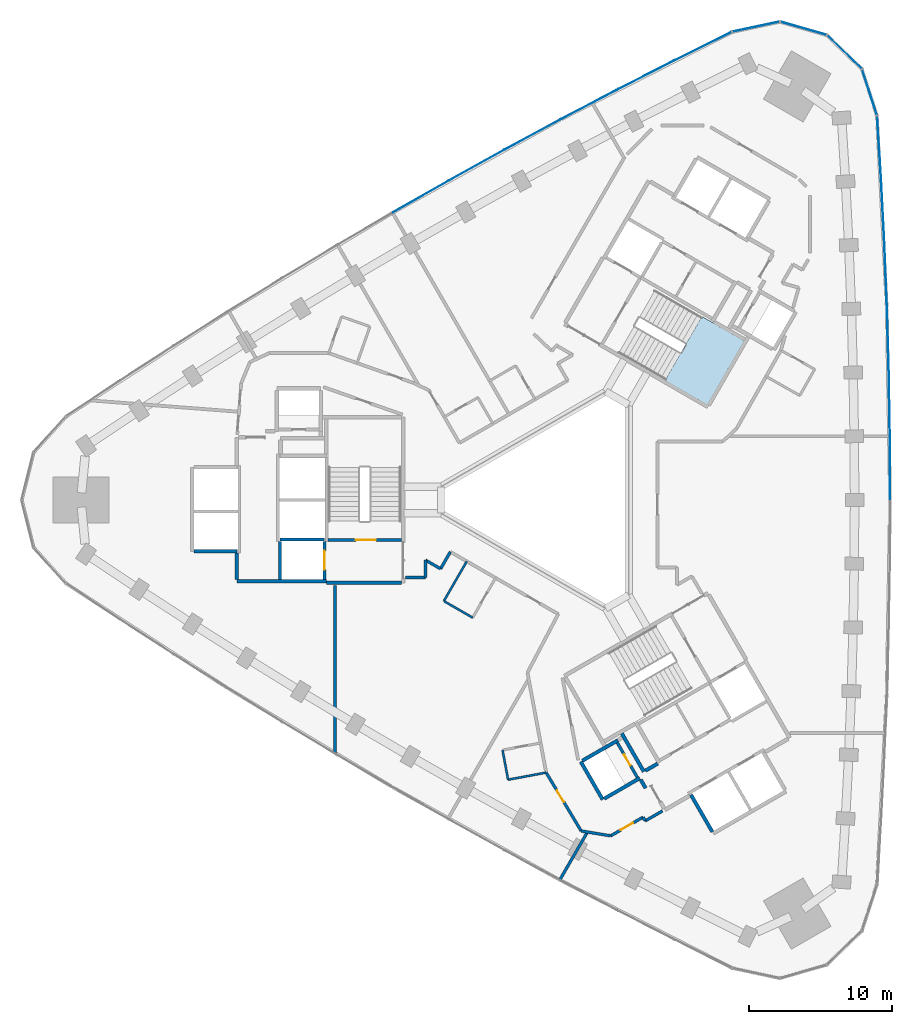
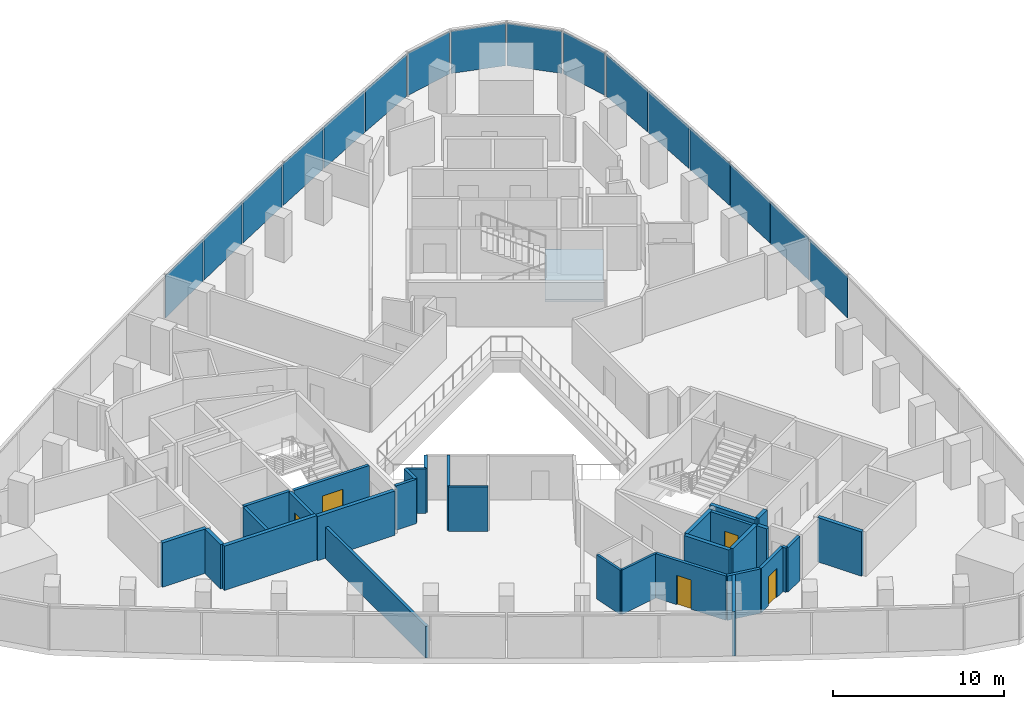
# One storey, part 7 of 12: 31 walls, 16 plates, 5 doors, 1 slab, 5 openings, 3 elements without a shape of their own.
"""IFC4 building model written with IfcOpenShell, lengths in metres."""

from ifc_helpers import new_model, si_unit, direction, frame, frame_2d, origin, origin_2d, place, context, subcontext, project, spatial, polyline, rectangle, outline, extrude, material, layer, layer_set, type_object, element, fill, aggregate, save


model = new_model("IFC4")

# Units and contexts
model_context = context("Model", 3, precision=1e-05, world=origin(), true_north=direction((0.0, 1.0)))
body_context = subcontext(model_context, "Body", "Model", "MODEL_VIEW")
ifc_project = project(units=[si_unit("LENGTHUNIT", "METRE"), si_unit("AREAUNIT", "SQUARE_METRE"), si_unit("VOLUMEUNIT", "CUBIC_METRE"), si_unit("PLANEANGLEUNIT", "RADIAN"), si_unit("MASSUNIT", "GRAM", prefix="KILO")], contexts=[model_context])

# Site, building, storey
site_placement = place(None, origin())
site = spatial("IfcSite", under=ifc_project, at=site_placement, CompositionType="ELEMENT")
building_placement = place(site_placement, origin())
building = spatial("IfcBuilding", under=site, at=building_placement, Name="Tamra Quay Hotel Tower", CompositionType="ELEMENT")
storey_placement = place(building_placement, frame((0.0, 0.0, 104.60009765625)))
storey = spatial("IfcBuildingStorey", under=building, at=storey_placement, Name="L25", CompositionType="ELEMENT", Elevation=104.60009765625)

# Stair, slab
ifc_material_1 = material(Name="Exit stair 2200 24 risers 150.0 going 342")
stair_type = type_object("IfcStairType", Name="Exit stair 2200 24 risers 150.0 going 342", PredefinedType="HALF_TURN_STAIR", material=ifc_material_1)
stair_placement = place(storey_placement, origin())
stair = element("IfcStair", 1, at=stair_placement, inside=storey, type_object=stair_type, Name="L25 Exit stair ST1", PredefinedType="HALF_TURN_STAIR")
ifc_material_2 = material(Name="Concrete M70", Category="concrete")
ifc_layer_1 = layer(ifc_material_2, 0.175048828125)
ifc_layer_set_1 = layer_set([ifc_layer_1], Name="Concrete M70 stair landing 180")
slab_type = type_object("IfcSlabType", Name="Concrete M70 stair landing 180", PredefinedType="LANDING", material=ifc_layer_set_1)
slab_placement = place(storey_placement, frame((0.0, 0.0, 1.625)))
slab = element("IfcSlab", 2, at=slab_placement, type_object=slab_type, Name="ST1 landing 1", PredefinedType="LANDING", context=body_context, shape_type="SweptSolid", body=[
    extrude(outline(polyline([(7.425048828125, 8.336669921875), (10.385009765625, 6.627685546875), (12.964599609375, 11.095458984375), (10.00439453125, 12.804443359375), (7.425048828125, 8.336669921875)])), origin(), (0.0, 0.0, 1.0), 0.1748046875),
])
aggregate(stair, [slab])

# Curtain wall, plates
ifc_material_3 = material(Name="Aluminium 6063 anodised dark grey", Category="aluminium")
curtain_wall_type_1 = type_object("IfcCurtainWallType", Name="CW1 CURTAIN WALL", PredefinedType="NOTDEFINED", material=ifc_material_3)
curtain_wall_1_placement = place(storey_placement, origin())
curtain_wall_1 = element("IfcCurtainWall", 3, at=curtain_wall_1_placement, inside=storey, type_object=curtain_wall_type_1, Name="CW1 east face L25", PredefinedType="NOTDEFINED")
ifc_material_4 = material(Name="Glass clear laminated low-iron", Category="glass")
ifc_layer_2 = layer(ifc_material_4, 0.033935546875)
ifc_layer_set_2 = layer_set([ifc_layer_2], Name="GLASS PANEL CW1 Z2")
plate_type_1 = type_object("IfcPlateType", Name="GLASS PANEL CW1 Z2", PredefinedType="CURTAIN_PANEL", material=ifc_layer_set_2)
plate_1_placement = place(storey_placement, frame((23.132080078125, 2.236572265625, 0.0), z_axis=(0.0, 0.0, 1.0), x_axis=(-0.00571269185, 0.999983682443, 0.0)))
plate_1 = element("IfcPlate", 4, at=plate_1_placement, type_object=plate_type_1, Name="CW1 glass L25.E.7", PredefinedType="CURTAIN_PANEL", context=body_context, shape_type="SweptSolid", body=[
    extrude(rectangle(XDim=4.373291015625, YDim=0.033935546875, at=origin_2d()), origin(), (0.0, 0.0, 1.0), 3.034912109375),
])
plate_2_placement = place(storey_placement, frame((23.080810546875, 6.70947265625, 0.0), z_axis=(0.0, 0.0, 1.0), x_axis=(-0.017133948461, 0.99985320313, 0.0)))
plate_2 = element("IfcPlate", 5, at=plate_2_placement, type_object=plate_type_1, Name="CW1 glass L25.E.8", PredefinedType="CURTAIN_PANEL", context=body_context, shape_type="SweptSolid", body=[
    extrude(rectangle(XDim=4.373291015625, YDim=0.033935546875, at=origin_2d()), origin(), (0.0, 0.0, 1.0), 3.034912109375),
])
plate_3_placement = place(storey_placement, frame((22.978759765625, 11.181396484375, 0.0), z_axis=(0.0, 0.0, 1.0), x_axis=(-0.028546324212, 0.999592470647, 0.0)))
plate_3 = element("IfcPlate", 6, at=plate_3_placement, type_object=plate_type_1, Name="CW1 glass L25.E.9", PredefinedType="CURTAIN_PANEL", context=body_context, shape_type="SweptSolid", body=[
    extrude(rectangle(XDim=4.373291015625, YDim=0.033935546875, at=origin_2d()), origin(), (0.0, 0.0, 1.0), 3.034912109375),
])
plate_4_placement = place(storey_placement, frame((22.825439453125, 15.652099609375, 0.0), z_axis=(0.0, 0.0, 1.0), x_axis=(-0.039943885581, 0.99920192454, 0.0)))
plate_4 = element("IfcPlate", 7, at=plate_4_placement, type_object=plate_type_1, Name="CW1 glass L25.E.10", PredefinedType="CURTAIN_PANEL", context=body_context, shape_type="SweptSolid", body=[
    extrude(rectangle(XDim=4.373291015625, YDim=0.033935546875, at=origin_2d()), origin(), (0.0, 0.0, 1.0), 3.034912109375),
])
plate_5_placement = place(storey_placement, frame((22.621337890625, 20.12060546875, 0.0), z_axis=(0.0, 0.0, 1.0), x_axis=(-0.051320736558, 0.998682222731, 0.0)))
plate_5 = element("IfcPlate", 8, at=plate_5_placement, type_object=plate_type_1, Name="CW1 glass L25.E.11", PredefinedType="CURTAIN_PANEL", context=body_context, shape_type="SweptSolid", body=[
    extrude(rectangle(XDim=4.373291015625, YDim=0.033935546875, at=origin_2d()), origin(), (0.0, 0.0, 1.0), 3.034912109375),
])
plate_6_placement = place(storey_placement, frame((22.366455078125, 24.5859375, 0.0), z_axis=(0.0, 0.0, 1.0), x_axis=(-0.062669917068, 0.998034308776, 0.0)))
plate_6 = element("IfcPlate", 9, at=plate_6_placement, type_object=plate_type_1, Name="CW1 glass L25.E.12", PredefinedType="CURTAIN_PANEL", context=body_context, shape_type="SweptSolid", body=[
    extrude(rectangle(XDim=4.372314453125, YDim=0.033935546875, at=origin_2d()), origin(), (0.0, 0.0, 1.0), 3.034912109375),
])
plate_7_placement = place(storey_placement, frame((21.70166015625, 28.43994140625, 0.0), z_axis=(0.0, 0.0, 1.0), x_axis=(-0.307790863622, 0.951454036867, 0.0)))
plate_7 = element("IfcPlate", 10, at=plate_7_placement, type_object=plate_type_1, Name="CW1 glass L25.E.13", PredefinedType="CURTAIN_PANEL", context=body_context, shape_type="SweptSolid", body=[
    extrude(rectangle(XDim=3.31005859375, YDim=0.033935546875, at=origin_2d()), origin(), (0.0, 0.0, 1.0), 3.034912109375),
])
plate_8_placement = place(storey_placement, frame((19.95068359375, 31.247314453125, 0.0), z_axis=(0.0, 0.0, 1.0), x_axis=(-0.71904127153, 0.694967373217, 0.0)))
plate_8 = element("IfcPlate", 11, at=plate_8_placement, type_object=plate_type_1, Name="CW1 glass L25.E.14", PredefinedType="CURTAIN_PANEL", context=body_context, shape_type="SweptSolid", body=[
    extrude(rectangle(XDim=3.31005859375, YDim=0.033935546875, at=origin_2d()), origin(), (0.0, 0.0, 1.0), 3.034912109375),
])
plate_9_placement = place(storey_placement, frame((17.08544921875, 32.9013671875, 0.0), z_axis=(0.0, 0.0, 1.0), x_axis=(-0.961380035772, 0.275224320906, 0.0)))
plate_9 = element("IfcPlate", 12, at=plate_9_placement, type_object=plate_type_1, Name="CW1 glass L25.E.15", PredefinedType="CURTAIN_PANEL", context=body_context, shape_type="SweptSolid", body=[
    extrude(rectangle(XDim=3.31005859375, YDim=0.033935546875, at=origin_2d()), origin(), (0.0, 0.0, 1.0), 3.034912109375),
])
plate_10_placement = place(storey_placement, frame((13.779052734375, 33.01416015625, 0.0), z_axis=(0.0, 0.0, 1.0), x_axis=(-0.977878798271, -0.209172311484, 0.0)))
plate_10 = element("IfcPlate", 13, at=plate_10_placement, type_object=plate_type_1, Name="CW1 glass L25.E.16", PredefinedType="CURTAIN_PANEL", context=body_context, shape_type="SweptSolid", body=[
    extrude(rectangle(XDim=3.31005859375, YDim=0.033935546875, at=origin_2d()), origin(), (0.0, 0.0, 1.0), 3.034912109375),
])
aggregate(curtain_wall_1, [plate_1, plate_2, plate_3, plate_4, plate_5, plate_6, plate_7, plate_8, plate_9, plate_10])

curtain_wall_type_2 = type_object("IfcCurtainWallType", Name="CW2 CURTAIN WALL", PredefinedType="NOTDEFINED", material=ifc_material_3)
curtain_wall_2_placement = place(storey_placement, origin())
curtain_wall_2 = element("IfcCurtainWall", 14, at=curtain_wall_2_placement, inside=storey, type_object=curtain_wall_type_2, Name="CW2 north-west face L25", PredefinedType="NOTDEFINED")
ifc_layer_3 = layer(ifc_material_4, 0.033935546875)
ifc_layer_set_3 = layer_set([ifc_layer_3], Name="GLASS PANEL CW2 Z2")
plate_type_2 = type_object("IfcPlateType", Name="GLASS PANEL CW2 Z2", PredefinedType="CURTAIN_PANEL", material=ifc_layer_set_3)
plate_11_placement = place(storey_placement, frame((10.10888671875, 31.662841796875, 0.0), z_axis=(0.0, 0.0, 1.0), x_axis=(-0.895658023783, -0.444743414154, 0.0)))
plate_11 = element("IfcPlate", 15, at=plate_11_placement, type_object=plate_type_2, Name="CW2 glass L25.NW.1", PredefinedType="CURTAIN_PANEL", context=body_context, shape_type="SweptSolid", body=[
    extrude(rectangle(XDim=4.372314453125, YDim=0.033935546875, at=origin_2d()), origin(), (0.0, 0.0, 1.0), 3.034912109375),
])
plate_12_placement = place(storey_placement, frame((6.1142578125, 29.65087890625, 0.0), z_axis=(0.0, 0.0, 1.0), x_axis=(-0.890544543472, -0.454896049765, 0.0)))
plate_12 = element("IfcPlate", 16, at=plate_12_placement, type_object=plate_type_2, Name="CW2 glass L25.NW.2", PredefinedType="CURTAIN_PANEL", context=body_context, shape_type="SweptSolid", body=[
    extrude(rectangle(XDim=4.373291015625, YDim=0.033935546875, at=origin_2d()), origin(), (0.0, 0.0, 1.0), 3.034912109375),
])
plate_13_placement = place(storey_placement, frame((2.142333984375, 27.593505859375, 0.0), z_axis=(0.0, 0.0, 1.0), x_axis=(-0.885306192952, -0.465008542631, 0.0)))
plate_13 = element("IfcPlate", 17, at=plate_13_placement, type_object=plate_type_2, Name="CW2 glass L25.NW.3", PredefinedType="CURTAIN_PANEL", context=body_context, shape_type="SweptSolid", body=[
    extrude(rectangle(XDim=4.373291015625, YDim=0.033935546875, at=origin_2d()), origin(), (0.0, 0.0, 1.0), 3.034912109375),
])
plate_14_placement = place(storey_placement, frame((-1.805908203125, 25.490966796875, 0.0), z_axis=(0.0, 0.0, 1.0), x_axis=(-0.879945635118, -0.475074393371, 0.0)))
plate_14 = element("IfcPlate", 18, at=plate_14_placement, type_object=plate_type_2, Name="CW2 glass L25.NW.4", PredefinedType="CURTAIN_PANEL", context=body_context, shape_type="SweptSolid", body=[
    extrude(rectangle(XDim=4.373291015625, YDim=0.033935546875, at=origin_2d()), origin(), (0.0, 0.0, 1.0), 3.034912109375),
])
plate_15_placement = place(storey_placement, frame((-5.729736328125, 23.34326171875, 0.0), z_axis=(0.0, 0.0, 1.0), x_axis=(-0.874465248197, -0.485088166931, 0.0)))
plate_15 = element("IfcPlate", 19, at=plate_15_placement, type_object=plate_type_2, Name="CW2 glass L25.NW.5", PredefinedType="CURTAIN_PANEL", context=body_context, shape_type="SweptSolid", body=[
    extrude(rectangle(XDim=4.373291015625, YDim=0.033935546875, at=origin_2d()), origin(), (0.0, 0.0, 1.0), 3.034912109375),
])
plate_16_placement = place(storey_placement, frame((-9.629150390625, 21.151123046875, 0.0), z_axis=(0.0, 0.0, 1.0), x_axis=(-0.86886761829, -0.495044504955, 0.0)))
plate_16 = element("IfcPlate", 20, at=plate_16_placement, type_object=plate_type_2, Name="CW2 glass L25.NW.6", PredefinedType="CURTAIN_PANEL", context=body_context, shape_type="SweptSolid", body=[
    extrude(rectangle(XDim=4.373291015625, YDim=0.033935546875, at=origin_2d()), origin(), (0.0, 0.0, 1.0), 3.034912109375),
])
aggregate(curtain_wall_2, [plate_11, plate_12, plate_13, plate_14, plate_15, plate_16])

# Wall, opening, door
ifc_layer_4 = layer(ifc_material_2, 0.199951171875)
ifc_layer_set_4 = layer_set([ifc_layer_4], Name="Concrete M70 core wall 200")
wall_type_1 = type_object("IfcWallType", Name="Concrete M70 core wall 200", PredefinedType="SHEAR", material=ifc_layer_set_4)
wall_1_placement = place(storey_placement, frame((-10.96337890625, -2.800048828125, 0.0), z_axis=(0.0, 0.0, 1.0), x_axis=(-1.0, 0.0, 0.0)))
wall_1 = element("IfcWall", 21, at=wall_1_placement, inside=storey, type_object=wall_type_1, Name="CW2", PredefinedType="SHEAR", context=body_context, shape_type="SweptSolid", body=[
    extrude(rectangle(XDim=5.097900390625, YDim=0.199951171875, at=frame_2d((2.548828125, 0.0))), origin(), (0.0, 0.0, 1.0), 3.1748046875),
])
opening_1_placement = place(wall_1_placement, frame((1.77392578125, 0.0, 0.0)))
opening_1 = element("IfcOpeningElement", 22, at=opening_1_placement, cuts=wall_1, Name="Opening FD2", PredefinedType="OPENING", context=body_context, shape_type="SweptSolid", body=[
    extrude(rectangle(XDim=1.39990234375, YDim=2.10009765625, at=frame_2d((0.699951171875, 1.050048828125))), frame((0.0, 0.10986328125, 0.0), z_axis=(0.0, -1.0, 0.0), x_axis=(1.0, 0.0, 0.0)), (0.0, 0.0, 1.0), 0.219970703125),
])
ifc_material_5 = material(Name="Core door FD2 1400x2100 RH")
door_type_1 = type_object("IfcDoorType", Name="Core door FD2 1400x2100 RH", OperationType="NOTDEFINED", PredefinedType="DOOR", material=ifc_material_5)
door_1_placement = place(opening_1_placement, origin())
door_1 = element("IfcDoor", 23, at=door_1_placement, inside=storey, type_object=door_type_1, Name="FD2", OperationType="SINGLE_SWING_RIGHT", OverallHeight=2.10009765625, OverallWidth=1.39990234375, PredefinedType="DOOR", context=body_context, shape_type="SweptSolid", body=[
    extrude(rectangle(XDim=1.39990234375, YDim=2.10009765625, at=frame_2d((0.699951171875, 1.050048828125))), frame((0.0, 0.02490234375, 0.0), z_axis=(0.0, -1.0, 0.0), x_axis=(1.0, 0.0, 0.0)), (0.0, 0.0, 1.0), 0.050048828125),
])
fill(opening_1, door_1)

# Wall
wall_2_placement = place(storey_placement, frame((-19.412353515625, -2.75, 0.0), z_axis=(0.0, 0.0, 1.0), x_axis=(1.0, 0.0, 0.0)))
element("IfcWall", 24, at=wall_2_placement, inside=storey, type_object=wall_type_1, Name="CW2", PredefinedType="SHEAR", context=body_context, shape_type="SweptSolid", body=[
    extrude(rectangle(XDim=3.10009765625, YDim=0.199951171875, at=frame_2d((1.550048828125, 0.0))), origin(), (0.0, 0.0, 1.0), 3.1748046875),
])

# Wall, opening, door
wall_3_placement = place(storey_placement, frame((-16.312255859375, -2.898193359375, 0.0), z_axis=(0.0, 0.0, 1.0), x_axis=(0.0, -1.0, 0.0)))
wall_3 = element("IfcWall", 25, at=wall_3_placement, inside=storey, type_object=wall_type_1, Name="CW2", PredefinedType="SHEAR", context=body_context, shape_type="SweptSolid", body=[
    extrude(rectangle(XDim=2.65087890625, YDim=0.199951171875, at=frame_2d((1.325439453125, 0.0))), origin(), (0.0, 0.0, 1.0), 3.1748046875),
])
opening_2_placement = place(wall_3_placement, frame((0.65185546875, 0.0, 0.0)))
opening_2 = element("IfcOpeningElement", 26, at=opening_2_placement, cuts=wall_3, Name="Opening LD", PredefinedType="OPENING", context=body_context, shape_type="SweptSolid", body=[
    extrude(rectangle(XDim=1.300048828125, YDim=2.10009765625, at=frame_2d((0.64990234375, 1.050048828125))), frame((0.0, 0.10986328125, 0.0), z_axis=(0.0, -1.0, 0.0), x_axis=(1.0, 0.0, 0.0)), (0.0, 0.0, 1.0), 0.219970703125),
])
ifc_material_6 = material(Name="Landing door LD 1300 sliding to right")
door_type_2 = type_object("IfcDoorType", Name="Landing door LD 1300 sliding to right", OperationType="NOTDEFINED", PredefinedType="DOOR", material=ifc_material_6)
door_2_placement = place(opening_2_placement, origin())
door_2 = element("IfcDoor", 27, at=door_2_placement, inside=storey, type_object=door_type_2, Name="LD", OperationType="SLIDING_TO_RIGHT", OverallHeight=2.10009765625, OverallWidth=1.300048828125, PredefinedType="DOOR", context=body_context, shape_type="SweptSolid", body=[
    extrude(rectangle(XDim=1.300048828125, YDim=2.10009765625, at=frame_2d((0.64990234375, 1.050048828125))), frame((0.0, 0.02490234375, 0.0), z_axis=(0.0, -1.0, 0.0), x_axis=(1.0, 0.0, 0.0)), (0.0, 0.0, 1.0), 0.050048828125),
])
fill(opening_2, door_2)

# Wall
wall_4_placement = place(storey_placement, frame((-19.412353515625, -5.549072265625, 0.0), z_axis=(0.0, 0.0, 1.0), x_axis=(0.0, 1.0, 0.0)))
element("IfcWall", 28, at=wall_4_placement, inside=storey, type_object=wall_type_1, Name="CW2", PredefinedType="SHEAR", context=body_context, shape_type="SweptSolid", body=[
    extrude(rectangle(XDim=2.65087890625, YDim=0.199951171875, at=frame_2d((1.325439453125, 0.0))), origin(), (0.0, 0.0, 1.0), 3.1748046875),
])

# Wall, opening, door
wall_5_placement = place(storey_placement, frame((5.50341796875, -19.352294921875, 0.0), z_axis=(0.0, 0.0, 1.0), x_axis=(-0.499986818241, 0.866033014143, 0.0)))
wall_5 = element("IfcWall", 29, at=wall_5_placement, inside=storey, type_object=wall_type_1, Name="CW2", PredefinedType="SHEAR", context=body_context, shape_type="SweptSolid", body=[
    extrude(rectangle(XDim=2.7978515625, YDim=0.199951171875, at=frame_2d((1.39892578125, 0.0))), origin(), (0.0, 0.0, 1.0), 3.1748046875),
])
opening_3_placement = place(wall_5_placement, frame((0.948974609375, 0.0, 0.0)))
opening_3 = element("IfcOpeningElement", 30, at=opening_3_placement, cuts=wall_5, Name="Opening D1", PredefinedType="OPENING", context=body_context, shape_type="SweptSolid", body=[
    extrude(rectangle(XDim=0.89990234375, YDim=2.10009765625, at=frame_2d((0.449951171875, 1.050048828125))), frame((0.0, 0.10986328125, 0.0), z_axis=(0.0, -1.0, 0.0), x_axis=(1.0, 0.0, 0.0)), (0.0, 0.0, 1.0), 0.219970703125),
])
ifc_material_7 = material(Name="Core door D1 900x2100 RH")
door_type_3 = type_object("IfcDoorType", Name="Core door D1 900x2100 RH", OperationType="NOTDEFINED", PredefinedType="DOOR", material=ifc_material_7)
door_3_placement = place(opening_3_placement, origin())
door_3 = element("IfcDoor", 31, at=door_3_placement, inside=storey, type_object=door_type_3, Name="D1", OperationType="SINGLE_SWING_RIGHT", OverallHeight=2.10009765625, OverallWidth=0.89990234375, PredefinedType="DOOR", context=body_context, shape_type="SweptSolid", body=[
    extrude(rectangle(XDim=0.89990234375, YDim=2.10009765625, at=frame_2d((0.449951171875, 1.050048828125))), frame((0.0, 0.02490234375, 0.0), z_axis=(0.0, -1.0, 0.0), x_axis=(1.0, 0.0, 0.0)), (0.0, 0.0, 1.0), 0.050048828125),
])
fill(opening_3, door_3)

# Walls
ifc_layer_5 = layer(ifc_material_2, 0.25)
ifc_layer_set_5 = layer_set([ifc_layer_5], Name="Concrete M70 core wall 250")
wall_type_2 = type_object("IfcWallType", Name="Concrete M70 core wall 250", PredefinedType="SHEAR", material=ifc_layer_set_5)
wall_6_placement = place(storey_placement, frame((-16.187255859375, -5.675048828125, 0.0), z_axis=(0.0, 0.0, 1.0), x_axis=(-1.0, 0.0, 0.0)))
element("IfcWall", 32, at=wall_6_placement, inside=storey, type_object=wall_type_2, Name="CW1", PredefinedType="SHEAR", context=body_context, shape_type="SweptSolid", body=[
    extrude(rectangle(XDim=6.25, YDim=0.25, at=frame_2d((3.125, 0.0))), origin(), (0.0, 0.0, 1.0), 3.1748046875),
])
wall_7_placement = place(storey_placement, frame((-10.962646484375, -5.77490234375, 0.0), z_axis=(0.0, 0.0, 1.0), x_axis=(-1.0, 0.0, 0.0)))
element("IfcWall", 33, at=wall_7_placement, inside=storey, type_object=wall_type_2, Name="CW1", PredefinedType="SHEAR", context=body_context, shape_type="SweptSolid", body=[
    extrude(rectangle(XDim=5.224609375, YDim=0.25, at=frame_2d((2.6123046875, 0.0))), origin(), (0.0, 0.0, 1.0), 3.1748046875),
])
wall_8_placement = place(storey_placement, frame((-22.437255859375, -3.574951171875, 0.0), z_axis=(0.0, 0.0, 1.0), x_axis=(-1.0, 0.0, 0.0)))
element("IfcWall", 34, at=wall_8_placement, inside=storey, type_object=wall_type_2, Name="CW1", PredefinedType="SHEAR", context=body_context, shape_type="SweptSolid", body=[
    extrude(rectangle(XDim=2.974609375, YDim=0.25, at=frame_2d((1.4873046875, 0.0))), origin(), (0.0, 0.0, 1.0), 3.1748046875),
])
wall_9_placement = place(storey_placement, frame((-22.437255859375, -5.549560546875, 0.0), z_axis=(0.0, 0.0, 1.0), x_axis=(0.0, 1.0, 0.0)))
element("IfcWall", 35, at=wall_9_placement, inside=storey, type_object=wall_type_2, Name="CW1", PredefinedType="SHEAR", context=body_context, shape_type="SweptSolid", body=[
    extrude(rectangle(XDim=1.84912109375, YDim=0.25, at=frame_2d((0.924560546875, 0.0))), origin(), (0.0, 0.0, 1.0), 3.1748046875),
])
wall_10_placement = place(storey_placement, frame((10.73583984375, -23.144775390625, 0.0), z_axis=(0.0, 0.0, 1.0), x_axis=(-0.500023226632, 0.866011993467, 0.0)))
element("IfcWall", 36, at=wall_10_placement, inside=storey, type_object=wall_type_2, Name="CW1", PredefinedType="SHEAR", context=body_context, shape_type="SweptSolid", body=[
    extrude(rectangle(XDim=2.974365234375, YDim=0.25, at=frame_2d((1.4873046875, 0.0))), origin(), (0.0, 0.0, 1.0), 3.1748046875),
])
wall_11_placement = place(storey_placement, frame((3.085205078125, -20.893798828125, 0.0), z_axis=(0.0, 0.0, 1.0), x_axis=(-0.499978833458, 0.866037623948, 0.0)))
element("IfcWall", 37, at=wall_11_placement, inside=storey, type_object=wall_type_2, Name="CW1", PredefinedType="SHEAR", context=body_context, shape_type="SweptSolid", body=[
    extrude(rectangle(XDim=3.050048828125, YDim=0.25, at=frame_2d((1.52490234375, 0.0))), origin(), (0.0, 0.0, 1.0), 3.1748046875),
])
wall_12_placement = place(storey_placement, frame((1.6689453125, -18.189697265625, 0.0), z_axis=(0.0, 0.0, 1.0), x_axis=(0.866042235819, 0.499970844928, 0.0)))
element("IfcWall", 38, at=wall_12_placement, inside=storey, type_object=wall_type_2, Name="CW1", PredefinedType="SHEAR", context=body_context, shape_type="SweptSolid", body=[
    extrude(rectangle(XDim=2.864501953125, YDim=0.25, at=frame_2d((1.43212890625, 0.0))), origin(), (0.0, 0.0, 1.0), 3.1748046875),
])
wall_13_placement = place(storey_placement, frame((5.6748046875, -19.39892578125, 0.0), z_axis=(0.0, 0.0, 1.0), x_axis=(-0.866026637627, -0.499997862916, 0.0)))
element("IfcWall", 39, at=wall_13_placement, inside=storey, type_object=wall_type_2, Name="CW1", PredefinedType="SHEAR", context=body_context, shape_type="SweptSolid", body=[
    extrude(rectangle(XDim=2.86474609375, YDim=0.25, at=frame_2d((1.432373046875, 0.0))), origin(), (0.0, 0.0, 1.0), 3.1748046875),
])
wall_14_placement = place(storey_placement, frame((4.414306640625, -16.275634765625, 0.0), z_axis=(0.0, 0.0, 1.0), x_axis=(0.500003324108, -0.866023484601, 0.0)))
element("IfcWall", 40, at=wall_14_placement, inside=storey, type_object=wall_type_2, Name="CW1", PredefinedType="SHEAR", context=body_context, shape_type="SweptSolid", body=[
    extrude(rectangle(XDim=3.0849609375, YDim=0.25, at=frame_2d((1.54248046875, 0.0))), origin(), (0.0, 0.0, 1.0), 3.1748046875),
])
wall_15_placement = place(storey_placement, frame((6.0654296875, -18.884765625, 0.0), z_axis=(0.0, 0.0, 1.0), x_axis=(0.866017078145, 0.500014420154, 0.0)))
element("IfcWall", 41, at=wall_15_placement, inside=storey, type_object=wall_type_2, Name="CW1", PredefinedType="SHEAR", context=body_context, shape_type="SweptSolid", body=[
    extrude(rectangle(XDim=0.9892578125, YDim=0.25, at=frame_2d((0.49462890625, 0.0))), origin(), (0.0, 0.0, 1.0), 3.1748046875),
])
wall_16_placement = place(storey_placement, frame((6.07958984375, -20.100341796875, 0.0), z_axis=(0.0, 0.0, 1.0), x_axis=(-0.500051773299, 0.865995510393, 0.0)))
element("IfcWall", 42, at=wall_16_placement, inside=storey, type_object=wall_type_2, Name="CW1", PredefinedType="SHEAR", context=body_context, shape_type="SweptSolid", body=[
    extrude(rectangle(XDim=0.6845703125, YDim=0.25, at=frame_2d((0.34228515625, 0.0))), origin(), (0.0, 0.0, 1.0), 3.1748046875),
])
ifc_material_8 = material(Name="Partition corridor wall")
ifc_layer_6 = layer(ifc_material_8, 0.199951171875)
ifc_layer_set_6 = layer_set([ifc_layer_6], Name="Partition corridor wall")
wall_type_3 = type_object("IfcWallType", Name="Partition corridor wall", PredefinedType="PARTITIONING", material=ifc_layer_set_6)
wall_17_placement = place(storey_placement, frame((-10.65234375, -5.39990234375, 0.0), z_axis=(0.0, 0.0, 1.0), x_axis=(1.0, 0.0, 0.0)))
element("IfcWall", 43, at=wall_17_placement, inside=storey, type_object=wall_type_3, Name="W-C", PredefinedType="PARTITIONING", context=body_context, shape_type="SweptSolid", body=[
    extrude(rectangle(XDim=1.390380859375, YDim=0.199951171875, at=frame_2d((0.6953125, 0.0))), origin(), (0.0, 0.0, 1.0), 3.1748046875),
])
for number, where, z_axis, x_axis, name in (
    (44, (-9.261962890625, -5.39990234375, 0.0), (0.0, 0.0, 1.0), (0.0, 1.0, 0.0), "W-C"),
    (45, (-9.261962890625, -4.199951171875, 0.0), (0.0, 0.0, 1.0), (0.865955154139, -0.50012165622, 0.0), "W-C"),
):
    element("IfcWall", number, at=place(storey_placement, frame(where, z_axis=z_axis, x_axis=x_axis)), inside=storey, type_object=wall_type_3, Name=name, PredefinedType="PARTITIONING", context=body_context, shape_type="SweptSolid", body=[
        extrude(rectangle(XDim=1.199951171875, YDim=0.199951171875, at=frame_2d((0.60009765625, 0.0))), origin(), (0.0, 0.0, 1.0), 3.1748046875),
    ])
wall_18_placement = place(storey_placement, frame((-8.222900390625, -4.800048828125, 0.0), z_axis=(0.0, 0.0, 1.0), x_axis=(0.499804837697, 0.866138051476, 0.0)))
element("IfcWall", 46, at=wall_18_placement, inside=storey, type_object=wall_type_3, Name="W-C", PredefinedType="PARTITIONING", context=body_context, shape_type="SweptSolid", body=[
    extrude(rectangle(XDim=1.3681640625, YDim=0.199951171875, at=frame_2d((0.68408203125, 0.0))), origin(), (0.0, 0.0, 1.0), 3.1748046875),
])

# Wall, opening, door
wall_19_placement = place(storey_placement, frame((-0.85791015625, -19.01708984375, 0.0), z_axis=(0.0, 0.0, 1.0), x_axis=(0.514586543775, -0.857438446167, 0.0)))
wall_19 = element("IfcWall", 47, at=wall_19_placement, inside=storey, type_object=wall_type_3, Name="W-C", PredefinedType="PARTITIONING", context=body_context, shape_type="SweptSolid", body=[
    extrude(rectangle(XDim=4.745361328125, YDim=0.199951171875, at=frame_2d((2.37255859375, 0.0))), origin(), (0.0, 0.0, 1.0), 3.1748046875),
])
opening_4_placement = place(wall_19_placement, frame((1.445556640625, 0.0, 0.0)))
opening_4 = element("IfcOpeningElement", 48, at=opening_4_placement, cuts=wall_19, Name="Opening L25-D016", PredefinedType="OPENING", context=body_context, shape_type="SweptSolid", body=[
    extrude(rectangle(XDim=0.949951171875, YDim=2.10009765625, at=frame_2d((0.47509765625, 1.050048828125))), frame((0.0, 0.10986328125, 0.0), z_axis=(0.0, -1.0, 0.0), x_axis=(1.0, 0.0, 0.0)), (0.0, 0.0, 1.0), 0.219970703125),
])
ifc_material_9 = material(Name="Door guest room 950x2100")
door_type_4 = type_object("IfcDoorType", Name="Door guest room 950x2100", OperationType="NOTDEFINED", PredefinedType="DOOR", material=ifc_material_9)
door_4_placement = place(opening_4_placement, frame((0.949951171875, 0.0, 0.0), z_axis=(0.0, 0.0, 1.0), x_axis=(-1.0, 0.0, 0.0)))
door_4 = element("IfcDoor", 49, at=door_4_placement, inside=storey, type_object=door_type_4, Name="L25-D016", OperationType="SINGLE_SWING_LEFT", OverallHeight=2.10009765625, OverallWidth=0.949951171875, PredefinedType="DOOR", context=body_context, shape_type="SweptSolid", body=[
    extrude(rectangle(XDim=0.949951171875, YDim=2.10009765625, at=frame_2d((0.47509765625, 1.050048828125))), frame((0.0, 0.02490234375, 0.0), z_axis=(0.0, -1.0, 0.0), x_axis=(1.0, 0.0, 0.0)), (0.0, 0.0, 1.0), 0.050048828125),
])
fill(opening_4, door_4)

# Wall
wall_20_placement = place(storey_placement, frame((1.583984375, -23.0859375, 0.0), z_axis=(0.0, 0.0, 1.0), x_axis=(0.986516952697, -0.163659103145, 0.0)))
element("IfcWall", 50, at=wall_20_placement, inside=storey, type_object=wall_type_3, Name="W-C", PredefinedType="PARTITIONING", context=body_context, shape_type="SweptSolid", body=[
    extrude(rectangle(XDim=2.0869140625, YDim=0.199951171875, at=frame_2d((1.04345703125, 0.0))), origin(), (0.0, 0.0, 1.0), 3.1748046875),
])

# Wall, opening, door
wall_21_placement = place(storey_placement, frame((3.64306640625, -23.426025390625, 0.0), z_axis=(0.0, 0.0, 1.0), x_axis=(0.866654350985, 0.498909045738, 0.0)))
wall_21 = element("IfcWall", 51, at=wall_21_placement, inside=storey, type_object=wall_type_3, Name="W-C", PredefinedType="PARTITIONING", context=body_context, shape_type="SweptSolid", body=[
    extrude(rectangle(XDim=2.607666015625, YDim=0.199951171875, at=frame_2d((1.3037109375, 0.0))), origin(), (0.0, 0.0, 1.0), 3.1748046875),
])
opening_5_placement = place(wall_21_placement, frame((0.803955078125, 0.0, 0.0)))
opening_5 = element("IfcOpeningElement", 52, at=opening_5_placement, cuts=wall_21, Name="Opening L25-D018", PredefinedType="OPENING", context=body_context, shape_type="SweptSolid", body=[
    extrude(rectangle(XDim=1.0, YDim=2.10009765625, at=frame_2d((0.5, 1.050048828125))), frame((0.0, 0.10986328125, 0.0), z_axis=(0.0, -1.0, 0.0), x_axis=(1.0, 0.0, 0.0)), (0.0, 0.0, 1.0), 0.219970703125),
])
ifc_material_10 = material(Name="Door guest room 1000x2100")
door_type_5 = type_object("IfcDoorType", Name="Door guest room 1000x2100", OperationType="NOTDEFINED", PredefinedType="DOOR", material=ifc_material_10)
door_5_placement = place(opening_5_placement, frame((1.0, 0.0, 0.0), z_axis=(0.0, 0.0, 1.0), x_axis=(-1.0, 0.0, 0.0)))
door_5 = element("IfcDoor", 53, at=door_5_placement, inside=storey, type_object=door_type_5, Name="L25-D018", OperationType="SINGLE_SWING_LEFT", OverallHeight=2.10009765625, OverallWidth=1.0, PredefinedType="DOOR", context=body_context, shape_type="SweptSolid", body=[
    extrude(rectangle(XDim=1.0, YDim=2.10009765625, at=frame_2d((0.5, 1.050048828125))), frame((0.0, 0.02490234375, 0.0), z_axis=(0.0, -1.0, 0.0), x_axis=(1.0, 0.0, 0.0)), (0.0, 0.0, 1.0), 0.050048828125),
])
fill(opening_5, door_5)

# Walls
wall_22_placement = place(storey_placement, frame((6.053955078125, -22.385009765625, 0.0), z_axis=(0.0, 0.0, 1.0), x_axis=(0.86593101922, 0.500163443238, 0.0)))
element("IfcWall", 54, at=wall_22_placement, inside=storey, type_object=wall_type_3, Name="W-C", PredefinedType="PARTITIONING", context=body_context, shape_type="SweptSolid", body=[
    extrude(rectangle(XDim=1.3896484375, YDim=0.199951171875, at=frame_2d((0.69482421875, 0.0))), origin(), (0.0, 0.0, 1.0), 3.1748046875),
])
wall_23_placement = place(storey_placement, frame((5.903076171875, -22.125, 0.0), z_axis=(0.0, 0.0, 1.0), x_axis=(0.499464218792, -0.866334516308, 0.0)))
element("IfcWall", 55, at=wall_23_placement, inside=storey, type_object=wall_type_3, Name="W-C", PredefinedType="PARTITIONING", context=body_context, shape_type="SweptSolid", body=[
    extrude(rectangle(XDim=0.300048828125, YDim=0.199951171875, at=frame_2d((0.14990234375, 0.0))), origin(), (0.0, 0.0, 1.0), 3.1748046875),
])
ifc_material_11 = material(Name="Partition en-suite wall")
ifc_layer_7 = layer(ifc_material_11, 0.14990234375)
ifc_layer_set_7 = layer_set([ifc_layer_7], Name="Partition en-suite wall")
wall_type_4 = type_object("IfcWallType", Name="Partition en-suite wall", PredefinedType="PARTITIONING", material=ifc_layer_set_7)
wall_24_placement = place(storey_placement, frame((-7.991943359375, -7.044921875, 0.0), z_axis=(0.0, 0.0, 1.0), x_axis=(0.500039698392, 0.866002482694, 0.0)))
element("IfcWall", 56, at=wall_24_placement, inside=storey, type_object=wall_type_4, Name="W-E", PredefinedType="PARTITIONING", context=body_context, shape_type="SweptSolid", body=[
    extrude(rectangle(XDim=3.197509765625, YDim=0.14990234375, at=frame_2d((1.5986328125, 0.0))), origin(), (0.0, 0.0, 1.0), 3.1748046875),
])
wall_25_placement = place(storey_placement, frame((-7.989013671875, -7.050048828125, 0.0), z_axis=(0.0, 0.0, 1.0), x_axis=(0.866020424307, -0.500008624609, 0.0)))
element("IfcWall", 57, at=wall_25_placement, inside=storey, type_object=wall_type_4, Name="W-E", PredefinedType="PARTITIONING", context=body_context, shape_type="SweptSolid", body=[
    extrude(rectangle(XDim=2.31396484375, YDim=0.14990234375, at=frame_2d((1.156982421875, 0.0))), origin(), (0.0, 0.0, 1.0), 3.1748046875),
])
wall_26_placement = place(storey_placement, frame((-3.89794921875, -17.448974609375, 0.0), z_axis=(0.0, 0.0, 1.0), x_axis=(0.184161939084, -0.982895915239, 0.0)))
element("IfcWall", 58, at=wall_26_placement, inside=storey, type_object=wall_type_4, Name="W-E", PredefinedType="PARTITIONING", context=body_context, shape_type="SweptSolid", body=[
    extrude(rectangle(XDim=2.095947265625, YDim=0.14990234375, at=frame_2d((1.0478515625, 0.0))), origin(), (0.0, 0.0, 1.0), 3.1748046875),
])
wall_27_placement = place(storey_placement, frame((-3.510009765625, -19.510986328125, 0.0), z_axis=(0.0, 0.0, 1.0), x_axis=(0.982950973509, 0.183867842969, 0.0)))
element("IfcWall", 59, at=wall_27_placement, inside=storey, type_object=wall_type_4, Name="W-E", PredefinedType="PARTITIONING", context=body_context, shape_type="SweptSolid", body=[
    extrude(rectangle(XDim=2.697998046875, YDim=0.14990234375, at=frame_2d((1.34912109375, 0.0))), origin(), (0.0, 0.0, 1.0), 3.1748046875),
])
ifc_material_12 = material(Name="Partition party wall")
ifc_layer_8 = layer(ifc_material_12, 0.199951171875)
ifc_layer_set_8 = layer_set([ifc_layer_8], Name="Partition party wall")
wall_type_5 = type_object("IfcWallType", Name="Partition party wall", PredefinedType="PARTITIONING", material=ifc_layer_set_8)
wall_28_placement = place(storey_placement, frame((-15.5869140625, -17.68798828125, 0.0), z_axis=(0.0, 0.0, 1.0), x_axis=(0.0, 1.0, 0.0)))
element("IfcWall", 60, at=wall_28_placement, inside=storey, type_object=wall_type_5, Name="W-P", PredefinedType="PARTITIONING", context=body_context, shape_type="SweptSolid", body=[
    extrude(rectangle(XDim=11.72802734375, YDim=0.199951171875, at=frame_2d((5.864013671875, 0.0))), origin(), (0.0, 0.0, 1.0), 2.27490234375),
])
wall_29_placement = place(storey_placement, frame((0.090087890625, -26.5087890625, 0.0), z_axis=(0.0, 0.0, 1.0), x_axis=(0.499961037585, 0.866047897577, 0.0)))
element("IfcWall", 61, at=wall_29_placement, inside=storey, type_object=wall_type_5, Name="W-P", PredefinedType="PARTITIONING", context=body_context, shape_type="SweptSolid", body=[
    extrude(rectangle(XDim=3.867919921875, YDim=0.199951171875, at=frame_2d((1.93408203125, 0.0))), origin(), (0.0, 0.0, 1.0), 3.1748046875),
])

save(model, "model.ifc")
